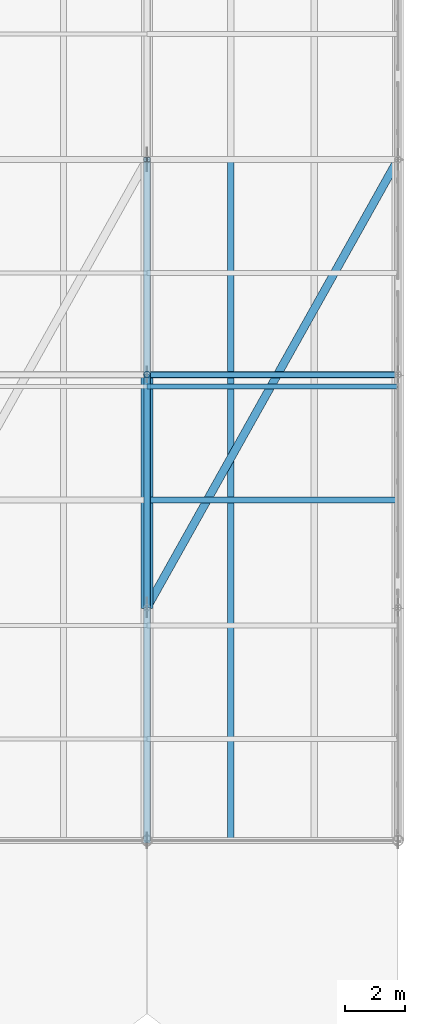
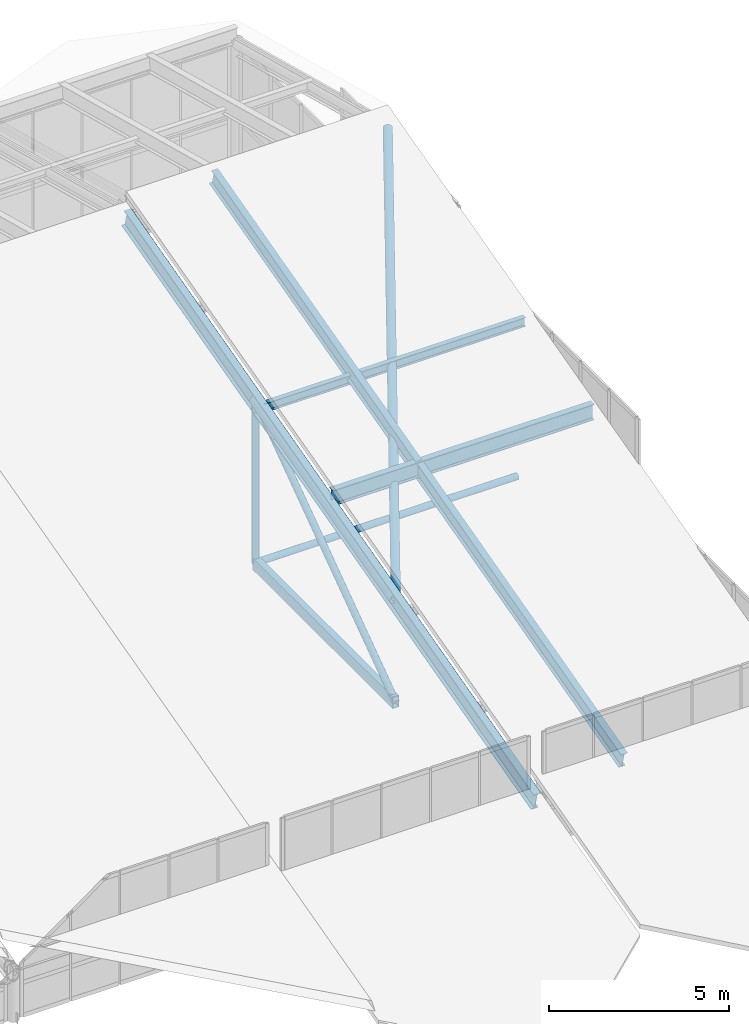
# One storey, part 23 of 43: 7 members, 3 beams.
"""IFC4 building model written with IfcOpenShell, lengths in metres."""

import ifcopenshell
import ifcopenshell.guid

model = None  # the IFC model being written
_history = None  # IfcOwnerHistory: only IFC2X3 demands one
_inside = {}  # id of a spatial element -> (the spatial element, [elements in it])
_under = {}  # id of a project, library or spatial element -> (it, [spatial elements below it])
_declared = {}  # id of a project -> (the project, [libraries it declares])
_typed = {}  # id of a type object -> (the type object, [elements of that type])
_made_of = {}  # id of a material, layer set ... -> (it, [elements and type objects made of it])


def new_model(schema):
    """Start an empty IFC model of exactly this schema.

    Asked for "IFC4X3", IfcOpenShell would pick the latest addendum, in which some entities
    have other attributes; the version numbers below select the first issue.
    IFC2X3 requires an IfcOwnerHistory on every rooted entity: one is made here for all.
    """
    global model, _history
    if schema == "IFC4X3":
        model = ifcopenshell.file(schema_version=(4, 3, 0, 0))
    else:
        model = ifcopenshell.file(schema=schema)
    _inside.clear()
    _under.clear()
    _declared.clear()
    _typed.clear()
    _made_of.clear()
    _history = None
    if model.schema == "IFC2X3":
        org = make("IfcOrganization", Name="unknown")
        user = make(
            "IfcPersonAndOrganization",
            ThePerson=make("IfcPerson", FamilyName="unknown"),
            TheOrganization=org,
        )
        app = make(
            "IfcApplication",
            ApplicationDeveloper=org,
            Version="unknown",
            ApplicationFullName="unknown",
            ApplicationIdentifier="unknown",
        )
        _history = make(
            "IfcOwnerHistory",
            OwningUser=user,
            OwningApplication=app,
            ChangeAction="ADDED",
            CreationDate=0,
        )
    return model


def make(cls, **values):
    """One entity of the class cls with the attributes given. An attribute that is None is left unset."""
    return model.create_entity(
        cls, **{name: value for name, value in values.items() if value is not None}
    )


def rooted(cls, **values):
    """An entity with a GlobalId (a new one), such as an element, a storey or a relation."""
    return make(cls, GlobalId=ifcopenshell.guid.new(), OwnerHistory=_history, **values)


def si_unit(unit_type, name, prefix=None):
    """IfcSIUnit, for example si_unit("LENGTHUNIT", "METRE", prefix="MILLI")."""
    return make("IfcSIUnit", UnitType=unit_type, Prefix=prefix, Name=name)


def assignment(units):
    """IfcUnitAssignment: the units of a project."""
    return None if units is None else make("IfcUnitAssignment", Units=units)


def point(xyz):
    """IfcCartesianPoint."""
    return None if xyz is None else make("IfcCartesianPoint", Coordinates=xyz)


def direction(xyz):
    """IfcDirection."""
    return None if xyz is None else make("IfcDirection", DirectionRatios=xyz)


def frame(location, z_axis=None, x_axis=None):
    """IfcAxis2Placement3D, a coordinate frame: its origin and axes. An axis left out is left unset."""
    return make(
        "IfcAxis2Placement3D",
        Location=point(location),
        Axis=direction(z_axis),
        RefDirection=direction(x_axis),
    )


def frame_2d(location, x_axis=None):
    """IfcAxis2Placement2D, a coordinate frame in the plane: its origin and x axis."""
    return make(
        "IfcAxis2Placement2D", Location=point(location), RefDirection=direction(x_axis)
    )


def origin():
    """The frame at (0, 0, 0) with its axes left unset."""
    return frame((0.0, 0.0, 0.0))


def origin_2d():
    """The frame at (0, 0) in the plane with its x axis left unset."""
    return frame_2d((0.0, 0.0))


def place(relative_to, where):
    """IfcLocalPlacement: puts the frame where relative to a parent placement (None: the world)."""
    return make(
        "IfcLocalPlacement", PlacementRelTo=relative_to, RelativePlacement=where
    )


def context(
    kind, dimensions, precision=None, world=None, true_north=None, identifier=None
):
    """IfcGeometricRepresentationContext, for example the 3D "Model" context."""
    return make(
        "IfcGeometricRepresentationContext",
        ContextIdentifier=identifier,
        ContextType=kind,
        CoordinateSpaceDimension=dimensions,
        Precision=precision,
        WorldCoordinateSystem=world,
        TrueNorth=true_north,
    )


def subcontext(parent, identifier, kind, view, scale=None):
    """IfcGeometricRepresentationSubContext, for example "Body" below "Model"."""
    return make(
        "IfcGeometricRepresentationSubContext",
        ContextIdentifier=identifier,
        ContextType=kind,
        ParentContext=parent,
        TargetScale=scale,
        TargetView=view,
    )


def project(units=None, contexts=None):
    """IfcProject with its units and contexts."""
    return rooted(
        "IfcProject",
        Name="project",
        RepresentationContexts=contexts,
        UnitsInContext=assignment(units),
    )


def spatial(cls, under=None, at=None, **own):
    """A site, building, storey or space (cls), placed at a placement, below another one or the project."""
    s = rooted(cls, ObjectPlacement=at, **own)
    if under is not None:
        _under.setdefault(under.id(), (under, []))[1].append(s)
    return s


def profile(cls, at=None, kind="AREA", **sizes):
    """A parametric profile (cls). Its sizes go by their IFC names, for example OverallWidth=200.0."""
    return make(cls, ProfileType=kind, Position=at, **sizes)


def hollow_rectangle(**sizes):
    """IfcRectangleHollowProfileDef."""
    return profile("IfcRectangleHollowProfileDef", **sizes)


def hollow_circle(**sizes):
    """IfcCircleHollowProfileDef."""
    return profile("IfcCircleHollowProfileDef", **sizes)


def i_section(**sizes):
    """IfcIShapeProfileDef."""
    return profile("IfcIShapeProfileDef", **sizes)


def extrude(swept, where, along, depth):
    """IfcExtrudedAreaSolid: the profile swept, set in the frame where, extruded along a direction by depth."""
    return make(
        "IfcExtrudedAreaSolid",
        SweptArea=swept,
        Position=where,
        ExtrudedDirection=direction(along),
        Depth=depth,
    )


def shape(context_of_items, identifier, shape_type, items):
    """IfcShapeRepresentation: the items that make up one representation, for example the "Body"."""
    return make(
        "IfcShapeRepresentation",
        ContextOfItems=context_of_items,
        RepresentationIdentifier=identifier,
        RepresentationType=shape_type,
        Items=items,
    )


def material(Name=None, Category=None):
    """IfcMaterial."""
    return make("IfcMaterial", Name=Name, Category=Category)


def material_profile(
    of_material, cross_section, Name=None, Category=None, Priority=None
):
    """IfcMaterialProfile: a cross section and its material."""
    return make(
        "IfcMaterialProfile",
        Name=Name,
        Material=of_material,
        Profile=cross_section,
        Priority=Priority,
        Category=Category,
    )


def profile_set(profiles, Name=None, composite=None):
    """IfcMaterialProfileSet."""
    return make(
        "IfcMaterialProfileSet",
        Name=Name,
        MaterialProfiles=profiles,
        CompositeProfile=composite,
    )


def made_of(thing, what):
    """Note that an element or type object is made of a material, layer set ...; save() writes the relation."""
    if what is not None:
        _made_of.setdefault(what.id(), (what, []))[1].append(thing)
    return thing


def type_object(cls, material=None, **own):
    """A type object (cls), such as IfcWallType, which elements share."""
    return made_of(rooted(cls, **own), material)


def element(
    cls,
    number,
    at=None,
    inside=None,
    cuts=None,
    type_object=None,
    material=None,
    context=None,
    identifier="Body",
    shape_type=None,
    held_by="IfcProductDefinitionShape",
    body=None,
    shapes=None,
    **own,
):
    """One element of the class cls, such as IfcWall. Its Tag is "e" and its number.

    at: its placement. inside: the storey or other place that contains it. cuts: it is an
    opening in that element (IfcRelVoidsElement). A single representation is given by context,
    identifier, shape_type and body (its items); several are given by shapes. held_by: the class
    of the entity that holds the representations. save() writes the other relations.
    """
    e = rooted(cls, Tag="e%d" % number, ObjectPlacement=at, **own)
    if body is not None:
        shapes = [shape(context, identifier, shape_type, body)]
    if shapes is not None:
        e.Representation = make(held_by, Representations=shapes)
    if inside is not None:
        _inside.setdefault(inside.id(), (inside, []))[1].append(e)
    if cuts is not None:
        rooted(
            "IfcRelVoidsElement", RelatingBuildingElement=cuts, RelatedOpeningElement=e
        )
    if type_object is not None:
        _typed.setdefault(type_object.id(), (type_object, []))[1].append(e)
    return made_of(e, material)


def aggregate(whole, parts):
    """IfcRelAggregates: a whole, such as a stair, and the parts it consists of."""
    return rooted("IfcRelAggregates", RelatingObject=whole, RelatedObjects=parts)


def save(model, path):
    """Write the relations noted so far, then the file.

    IfcRelAggregates (storeys below a building ...), IfcRelContainedInSpatialStructure (elements
    in a storey), IfcRelDefinesByType, IfcRelAssociatesMaterial and IfcRelDeclares: one each for
    every whole, place, type object, material and project.
    """
    for whole, parts in _under.values():
        aggregate(whole, parts)
    for where, things in _inside.values():
        rooted(
            "IfcRelContainedInSpatialStructure",
            RelatedElements=things,
            RelatingStructure=where,
        )
    for kind, things in _typed.values():
        rooted("IfcRelDefinesByType", RelatedObjects=things, RelatingType=kind)
    for what, things in _made_of.values():
        rooted("IfcRelAssociatesMaterial", RelatedObjects=things, RelatingMaterial=what)
    for by, libraries in _declared.values():
        rooted("IfcRelDeclares", RelatingContext=by, RelatedDefinitions=libraries)
    model.write(path)


model = new_model("IFC4")

# Units and contexts
model_context = context("Model", 3, precision=1e-05, world=origin(), true_north=direction((0.0, 1.0)))
body_context = subcontext(model_context, "Body", "Model", "MODEL_VIEW")
ifc_project = project(units=[si_unit("LENGTHUNIT", "METRE"), si_unit("AREAUNIT", "SQUARE_METRE"), si_unit("VOLUMEUNIT", "CUBIC_METRE"), si_unit("PLANEANGLEUNIT", "RADIAN"), si_unit("MASSUNIT", "GRAM", prefix="KILO")], contexts=[model_context])

# Site, building, storey
site_placement = place(None, origin())
site = spatial("IfcSite", under=ifc_project, at=site_placement, CompositionType="ELEMENT")
building_placement = place(site_placement, origin())
building = spatial("IfcBuilding", under=site, at=building_placement, Name="Selat Folded Stagehouse", CompositionType="ELEMENT")
storey_placement = place(building_placement, frame((0.0, 0.0, 32.39990234375)))
storey = spatial("IfcBuildingStorey", under=building, at=storey_placement, Name="RF", CompositionType="ELEMENT", Elevation=32.39990234375)

# Beams
ifc_material = material(Name="Steel S355", Category="steel")
ifc_material_profile_1 = material_profile(ifc_material, i_section(OverallWidth=0.209228515625, OverallDepth=0.533203125, WebThickness=0.010009765625, FlangeThickness=0.015625, FilletRadius=0.0126953125, at=origin_2d()), Name="UKB 533x210x92")
ifc_profile_set_1 = profile_set([ifc_material_profile_1], Name="Steel S355")
beam_type_1 = type_object("IfcBeamType", Name="BM-GIRD-533x210x92", PredefinedType="BEAM", material=ifc_profile_set_1)
beam_1_placement = place(storey_placement, frame((58.800048828125, 34.800048828125, 4.93212890625), z_axis=(1.0, 0.0, 0.0), x_axis=(0.0, 1.0, 0.0)))
element("IfcBeam", 1, at=beam_1_placement, inside=storey, type_object=beam_type_1, Name="RF bay 7 M roof bearer beam", PredefinedType="BEAM", context=body_context, shape_type="SweptSolid", body=[
    extrude(i_section(OverallWidth=0.209228515625, OverallDepth=0.533203125, WebThickness=0.010009765625, FlangeThickness=0.015625, FilletRadius=0.0126953125, at=origin_2d()), origin(), (0.0, 0.0, 1.0), 8.39990234375),
])
beam_2_placement = place(storey_placement, frame((61.60009765625, 23.39990234375, 1.9208984375), z_axis=(0.0, 0.966839847915, 0.255383453816), x_axis=(-1.0, 0.0, 0.0)))
element("IfcBeam", 2, at=beam_2_placement, inside=storey, type_object=beam_type_1, Name="RF bay 7 W south sub-rafter", PredefinedType="BEAM", context=body_context, shape_type="SweptSolid", body=[
    extrude(i_section(OverallWidth=0.209228515625, OverallDepth=0.533203125, WebThickness=0.010009765625, FlangeThickness=0.015625, FilletRadius=0.0126953125, at=origin_2d()), origin(), (0.0, 0.0, 1.0), 23.58203125),
])
ifc_material_profile_2 = material_profile(ifc_material, i_section(OverallWidth=0.230224609375, OverallDepth=0.6171875, WebThickness=0.01318359375, FlangeThickness=0.022216796875, FilletRadius=0.0126953125, at=origin_2d()), Name="UKB 610x229x140")
ifc_profile_set_2 = profile_set([ifc_material_profile_2], Name="Steel S355")
beam_type_2 = type_object("IfcBeamType", Name="BM-GIRD-610x229x140", PredefinedType="BEAM", material=ifc_profile_set_2)
beam_3_placement = place(storey_placement, frame((58.800048828125, 23.39990234375, 1.506591796875), z_axis=(0.0, 0.966837291607, 0.255393131382), x_axis=(-1.0, 0.0, 0.0)))
element("IfcBeam", 3, at=beam_3_placement, inside=storey, type_object=beam_type_2, Name="RF primary south rafter beam 7", PredefinedType="BEAM", context=body_context, shape_type="SweptSolid", body=[
    extrude(i_section(OverallWidth=0.230224609375, OverallDepth=0.6171875, WebThickness=0.01318359375, FlangeThickness=0.022216796875, FilletRadius=0.0126953125, at=origin_2d()), origin(), (0.0, 0.0, 1.0), 23.58203125),
])

# Members
ifc_material_profile_3 = material_profile(ifc_material, hollow_circle(Radius=0.109619140625, WallThickness=0.010009765625, at=origin_2d()), Name="CHS 219.1x10.0")
ifc_profile_set_3 = profile_set([ifc_material_profile_3], Name="Steel S355")
member_type_1 = type_object("IfcMemberType", Name="MEM-BRACE-CHS219", PredefinedType="BRACE", material=ifc_profile_set_3)
member_1_placement = place(storey_placement, frame((58.800048828125, 31.199951171875, 0.150146484375), z_axis=(0.0, 0.813513193396, 0.581546459168), x_axis=(-1.0, 0.0, 0.0)))
element("IfcMember", 4, at=member_1_placement, inside=storey, type_object=member_type_1, Name="Folded-plate web diagonal 7.2", PredefinedType="BRACE", context=body_context, shape_type="SweptSolid", body=[
    extrude(hollow_circle(Radius=0.109619140625, WallThickness=0.010009765625, at=origin_2d()), origin(), (0.0, 0.0, 1.0), 9.588134765625),
])
ifc_material_profile_4 = material_profile(ifc_material, hollow_circle(Radius=0.136474609375, WallThickness=0.012451171875, at=origin_2d()), Name="CHS 273.0x12.5")
ifc_profile_set_4 = profile_set([ifc_material_profile_4], Name="Steel S355")
member_type_2 = type_object("IfcMemberType", Name="MEM-BRACE-CHS273", PredefinedType="BRACE", material=ifc_profile_set_4)
member_2_placement = place(storey_placement, frame((58.800048828125, 31.199951171875, 3.66552734375), z_axis=(0.47611655648, 0.850218020989, 0.224593725271), x_axis=(-0.872508437544, 0.488599044631, 0.0)))
element("IfcMember", 5, at=member_2_placement, inside=storey, type_object=member_type_2, Name="Roof wind brace bay 7", PredefinedType="BRACE", context=body_context, shape_type="SweptSolid", body=[
    extrude(hollow_circle(Radius=0.136474609375, WallThickness=0.012451171875, at=origin_2d()), origin(), (0.0, 0.0, 1.0), 17.642578125),
])
ifc_material_profile_5 = material_profile(ifc_material, hollow_circle(Radius=0.203125, WallThickness=0.01611328125, at=origin_2d()), Name="CHS 406.4x16.0")
ifc_profile_set_5 = profile_set([ifc_material_profile_5], Name="Steel S355")
member_type_3 = type_object("IfcMemberType", Name="MEM-CHORD-CHS406", PredefinedType="CHORD", material=ifc_profile_set_5)
member_3_placement = place(storey_placement, frame((58.800048828125, 31.199951171875, 3.66552734375), z_axis=(0.0, 0.966833028455, 0.255409269779), x_axis=(-1.0, 0.0, 0.0)))
element("IfcMember", 6, at=member_3_placement, inside=storey, type_object=member_type_3, Name="Folded-plate top chord 7.2", PredefinedType="CHORD", context=body_context, shape_type="SweptSolid", body=[
    extrude(hollow_circle(Radius=0.203125, WallThickness=0.01611328125, at=origin_2d()), origin(), (0.0, 0.0, 1.0), 8.067626953125),
])
ifc_material_profile_6 = material_profile(ifc_material, hollow_rectangle(XDim=0.199951171875, YDim=0.39990234375, WallThickness=0.012451171875, at=origin_2d()), Name="RHS 400x200x12.5")
ifc_profile_set_6 = profile_set([ifc_material_profile_6], Name="Steel S355")
member_type_4 = type_object("IfcMemberType", Name="MEM-CHORD-RHS400", PredefinedType="CHORD", material=ifc_profile_set_6)
member_4_placement = place(storey_placement, frame((58.800048828125, 31.199951171875, 0.150146484375), z_axis=(0.0, 1.0, 0.0), x_axis=(-1.0, 0.0, 0.0)))
element("IfcMember", 7, at=member_4_placement, inside=storey, type_object=member_type_4, Name="Folded-plate bottom tie 7.2", PredefinedType="CHORD", context=body_context, shape_type="SweptSolid", body=[
    extrude(hollow_rectangle(XDim=0.199951171875, YDim=0.39990234375, WallThickness=0.012451171875, at=origin_2d()), origin(), (0.0, 0.0, 1.0), 7.800048828125),
])
ifc_material_profile_7 = material_profile(ifc_material, hollow_circle(Radius=0.109619140625, WallThickness=0.010009765625, at=origin_2d()), Name="CHS 219.1x10.0")
ifc_profile_set_7 = profile_set([ifc_material_profile_7], Name="Steel S355")
member_type_5 = type_object("IfcMemberType", Name="MEM-POST-CHS219", PredefinedType="POST", material=ifc_profile_set_7)
member_5_placement = place(storey_placement, frame((58.800048828125, 39.0, 0.150146484375), z_axis=(0.0, 0.0, 1.0), x_axis=(1.0, 0.0, 0.0)))
element("IfcMember", 8, at=member_5_placement, inside=storey, type_object=member_type_5, Name="Folded-plate truss post 7.2", PredefinedType="POST", context=body_context, shape_type="SweptSolid", body=[
    extrude(hollow_circle(Radius=0.109619140625, WallThickness=0.010009765625, at=origin_2d()), origin(), (0.0, 0.0, 1.0), 5.575927734375),
])
ifc_material_profile_8 = material_profile(ifc_material, i_section(OverallWidth=0.1650390625, OverallDepth=0.303466796875, WebThickness=0.006103515625, FlangeThickness=0.01025390625, FilletRadius=0.0087890625, at=origin_2d()), Name="UKB 305x165x40")
ifc_profile_set_8 = profile_set([ifc_material_profile_8], Name="Steel S355")
member_type_6 = type_object("IfcMemberType", Name="MEM-PURLIN-UKB305", PredefinedType="PURLIN", material=ifc_profile_set_8)
member_6_placement = place(storey_placement, frame((58.800048828125, 38.60009765625, 5.673583984375), z_axis=(1.0, 0.0, 0.0), x_axis=(0.0, 1.0, 0.0)))
element("IfcMember", 9, at=member_6_placement, inside=storey, type_object=member_type_6, Name="Folded-plate roof purlin bay 7.3", PredefinedType="PURLIN", context=body_context, shape_type="SweptSolid", body=[
    extrude(i_section(OverallWidth=0.1650390625, OverallDepth=0.303466796875, WebThickness=0.006103515625, FlangeThickness=0.01025390625, FilletRadius=0.0087890625, at=origin_2d()), origin(), (0.0, 0.0, 1.0), 8.39990234375),
])
ifc_material_profile_9 = material_profile(ifc_material, hollow_circle(Radius=0.109619140625, WallThickness=0.010009765625, at=origin_2d()), Name="CHS 219.1x10.0")
ifc_profile_set_9 = profile_set([ifc_material_profile_9], Name="Steel S355")
member_type_7 = type_object("IfcMemberType", Name="MEM-STRUT-CHS219", PredefinedType="STRUT", material=ifc_profile_set_9)
member_7_placement = place(storey_placement, frame((58.800048828125, 39.0, 0.150146484375), z_axis=(1.0, 0.0, 0.0), x_axis=(0.0, 1.0, 0.0)))
element("IfcMember", 10, at=member_7_placement, inside=storey, type_object=member_type_7, Name="Roof bottom-tie strut bay 7", PredefinedType="STRUT", context=body_context, shape_type="SweptSolid", body=[
    extrude(hollow_circle(Radius=0.109619140625, WallThickness=0.010009765625, at=origin_2d()), origin(), (0.0, 0.0, 1.0), 8.39990234375),
])

save(model, "model.ifc")
